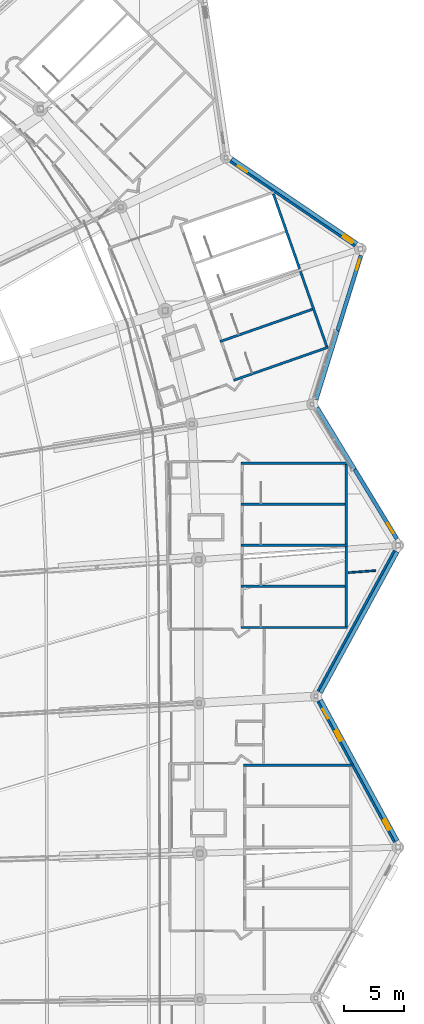
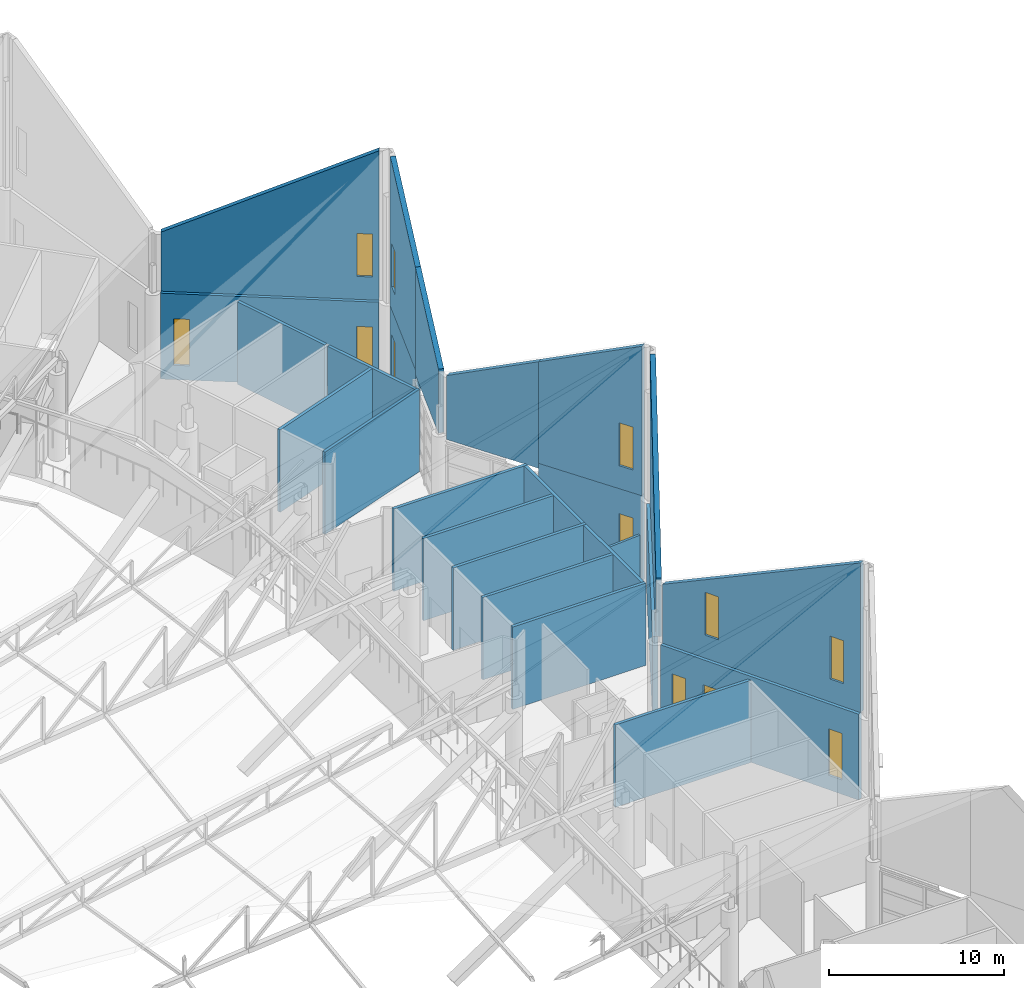
# One storey, part 272 of 344: 25 walls, 12 windows, 12 openings.
"""IFC4 building model written with IfcOpenShell, lengths in metres."""

from ifc_helpers import new_model, si_unit, direction, frame, frame_2d, origin, place, context, subcontext, project, spatial, polyline, rectangle, outline, extrude, material, layer, layer_set, type_object, element, fill, save


model = new_model("IFC4")

# Units and contexts
model_context = context("Model", 3, precision=1e-05, world=origin(), true_north=direction((0.0, 1.0)))
body_context = subcontext(model_context, "Body", "Model", "MODEL_VIEW")
ifc_project = project(units=[si_unit("LENGTHUNIT", "METRE"), si_unit("AREAUNIT", "SQUARE_METRE"), si_unit("VOLUMEUNIT", "CUBIC_METRE"), si_unit("PLANEANGLEUNIT", "RADIAN"), si_unit("MASSUNIT", "GRAM", prefix="KILO")], contexts=[model_context])

# Site, building, storey
site_placement = place(None, origin())
site = spatial("IfcSite", under=ifc_project, at=site_placement, CompositionType="ELEMENT")
building_placement = place(site_placement, origin())
building = spatial("IfcBuilding", under=site, at=building_placement, Name="Meseta Stadium", CompositionType="ELEMENT")
storey_placement = place(building_placement, frame((0.0, 0.0, 24.0)))
storey = spatial("IfcBuildingStorey", under=building, at=storey_placement, Name="L04", CompositionType="ELEMENT", Elevation=24.0)

# Walls
ifc_material_1 = material(Name="Concrete C40/50", Category="concrete")
ifc_layer_1 = layer(ifc_material_1, 0.199951171875)
ifc_layer_set_1 = layer_set([ifc_layer_1], Name="Core divider wall 200")
wall_type_1 = type_object("IfcWallType", Name="Core divider wall 200", PredefinedType="SHEAR", material=ifc_layer_set_1)
for number, where, z_axis, x_axis, name in (
    (1, (97.199951171875, 40.35009765625, 0.0), (0.0, 0.0, 1.0), (-1.0, 0.0, 0.0), "Core 05 L04 stair A divider wall"),
    (2, (97.199951171875, 47.14990234375, 0.0), (0.0, 0.0, 1.0), (-1.0, 0.0, 0.0), "Core 05 L04 stair B divider wall"),
):
    element("IfcWall", number, at=place(storey_placement, frame(where, z_axis=z_axis, x_axis=x_axis)), inside=storey, type_object=wall_type_1, Name=name, PredefinedType="SHEAR", context=body_context, shape_type="SweptSolid", body=[
        extrude(rectangle(XDim=8.800048828125, YDim=0.199951171875, at=frame_2d((4.39990234375, 0.0))), origin(), (0.0, 0.0, 1.0), 5.75),
    ])
wall_1_placement = place(storey_placement, frame((94.505859375, 63.370849609375, 0.0), z_axis=(0.0, 0.0, 1.0), x_axis=(-0.943878073457, -0.330294084791, 0.0)))
element("IfcWall", 3, at=wall_1_placement, inside=storey, type_object=wall_type_1, Name="Core 06 L04 stair A divider wall", PredefinedType="SHEAR", context=body_context, shape_type="SweptSolid", body=[
    extrude(rectangle(XDim=8.300048828125, YDim=0.199951171875, at=frame_2d((4.14990234375, 0.0))), origin(), (0.0, 0.0, 1.0), 5.75),
])
ifc_material_2 = material(Name="Concrete C40/50", Category="concrete")
ifc_layer_2 = layer(ifc_material_2, 0.199951171875)
ifc_layer_set_2 = layer_set([ifc_layer_2], Name="Core shaft wall 200")
wall_type_2 = type_object("IfcWallType", Name="Core shaft wall 200", PredefinedType="SHEAR", material=ifc_layer_set_2)
wall_2_placement = place(storey_placement, frame((97.60009765625, 25.550048828125, 0.0), z_axis=(0.0, 0.0, 1.0), x_axis=(-1.0, 0.0, 0.0)))
element("IfcWall", 4, at=wall_2_placement, inside=storey, type_object=wall_type_2, Name="Core 04 L04 stair wall B-side", PredefinedType="SHEAR", context=body_context, shape_type="SweptSolid", body=[
    extrude(rectangle(XDim=9.0, YDim=0.199951171875, at=frame_2d((4.5, 0.0))), origin(), (0.0, 0.0, 1.0), 5.75),
])
for number, where, z_axis, x_axis, name in (
    (5, (97.199951171875, 36.949951171875, 0.0), (0.0, 0.0, 1.0), (-1.0, 0.0, 0.0), "Core 05 L04 stair wall A-side"),
    (6, (97.199951171875, 43.75, 0.0), (0.0, 0.0, 1.0), (-1.0, 0.0, 0.0), "Core 05 L04 stair wall shared"),
    (7, (97.199951171875, 50.550048828125, 0.0), (0.0, 0.0, 1.0), (-1.0, 0.0, 0.0), "Core 05 L04 stair wall B-side"),
):
    element("IfcWall", number, at=place(storey_placement, frame(where, z_axis=z_axis, x_axis=x_axis)), inside=storey, type_object=wall_type_2, Name=name, PredefinedType="SHEAR", context=body_context, shape_type="SweptSolid", body=[
        extrude(rectangle(XDim=8.800048828125, YDim=0.199951171875, at=frame_2d((4.39990234375, 0.0))), origin(), (0.0, 0.0, 1.0), 5.75),
    ])
for number, where, z_axis, x_axis, name in (
    (8, (97.10009765625, 37.050048828125, 0.0), (0.0, 0.0, 1.0), (0.0, 1.0, 0.0), "Core 05 L04 stair A outer end wall"),
    (9, (97.10009765625, 43.85009765625, 0.0), (0.0, 0.0, 1.0), (0.0, 1.0, 0.0), "Core 05 L04 stair B outer end wall"),
):
    element("IfcWall", number, at=place(storey_placement, frame(where, z_axis=z_axis, x_axis=x_axis)), inside=storey, type_object=wall_type_2, Name=name, PredefinedType="SHEAR", context=body_context, shape_type="SweptSolid", body=[
        extrude(rectangle(XDim=6.599853515625, YDim=0.199951171875, at=frame_2d((3.2998046875, 0.0))), origin(), (0.0, 0.0, 1.0), 5.75),
    ])
wall_3_placement = place(storey_placement, frame((95.62890625, 60.16162109375, 0.0), z_axis=(0.0, 0.0, 1.0), x_axis=(-0.943887243331, -0.330267878966, 0.0)))
element("IfcWall", 10, at=wall_3_placement, inside=storey, type_object=wall_type_2, Name="Core 06 L04 stair wall A-side", PredefinedType="SHEAR", context=body_context, shape_type="SweptSolid", body=[
    extrude(rectangle(XDim=8.300048828125, YDim=0.199951171875, at=frame_2d((4.14990234375, 0.0))), origin(), (0.0, 0.0, 1.0), 5.75),
])
for number, where, z_axis, x_axis, name in (
    (11, (95.50146484375, 60.222900390625, 0.0), (0.0, 0.0, 1.0), (-0.330286164688, 0.943880844925, 0.0), "Core 06 L04 stair A outer end wall"),
    (12, (93.255615234375, 66.641357421875, 0.0), (0.0, 0.0, 1.0), (-0.330286164688, 0.943880844925, 0.0), "Core 06 L04 stair B outer end wall"),
):
    element("IfcWall", number, at=place(storey_placement, frame(where, z_axis=z_axis, x_axis=x_axis)), inside=storey, type_object=wall_type_2, Name=name, PredefinedType="SHEAR", context=body_context, shape_type="SweptSolid", body=[
        extrude(rectangle(XDim=6.60009765625, YDim=0.199951171875, at=frame_2d((3.300048828125, 0.0))), origin(), (0.0, 0.0, 1.0), 5.75),
    ])
ifc_material_3 = material(Name="Masonry blockwork", Category="masonry")
ifc_layer_3 = layer(ifc_material_3, 0.14990234375)
ifc_layer_set_3 = layer_set([ifc_layer_3], Name="Partition 150")
wall_type_3 = type_object("IfcWallType", Name="Partition 150", PredefinedType="PARTITIONING", material=ifc_layer_set_3)
wall_4_placement = place(storey_placement, frame((97.300048828125, 41.48974609375, 0.0), z_axis=(0.0, 0.0, 1.0), x_axis=(0.99706720675, 0.076530942913, 0.0)))
element("IfcWall", 13, at=wall_4_placement, inside=storey, type_object=wall_type_3, Name="Partition L04 L04-cell03-1-0", PredefinedType="PARTITIONING", context=body_context, shape_type="SweptSolid", body=[
    extrude(rectangle(XDim=2.25537109375, YDim=0.14990234375, at=frame_2d((1.127685546875, 0.0))), origin(), (0.0, 0.0, 1.0), 5.39990234375),
])

# Wall, openings, windows
ifc_material_4 = material(Name="White precast concrete C40/50", Category="concrete")
ifc_layer_4 = layer(ifc_material_4, 0.320068359375)
ifc_layer_set_4 = layer_set([ifc_layer_4], Name="Pleated fascia panel 320 raked")
wall_type_4 = type_object("IfcWallType", Name="Pleated fascia panel 320 raked", PredefinedType="SOLIDWALL", material=ifc_layer_set_4)
wall_5_placement = place(storey_placement, frame((94.99072265625, 30.950439453125, 6.0), z_axis=(0.0, 0.0, 1.0), x_axis=(0.477867771117, -0.878431780691, 0.0)))
wall_5 = element("IfcWall", 14, at=wall_5_placement, inside=storey, type_object=wall_type_4, Name="Pleated fascia panel L04 F06", PredefinedType="SOLIDWALL", context=body_context, shape_type="SweptSolid", body=[
    extrude(outline(polyline([(0.0, 0.0), (13.2802734375, 0.0), (13.2802734375, 10.451171875), (0.0, 4.10498046875), (0.0, 0.0)])), frame((0.0, 0.16015625, 0.0), z_axis=(0.0, -1.0, 0.0), x_axis=(1.0, 0.0, 0.0)), (0.0, 0.0, 1.0), 0.320068359375),
])
opening_1_placement = place(wall_5_placement, frame((2.85009765625, 0.0, 1.60009765625)))
opening_1 = element("IfcOpeningElement", 15, at=opening_1_placement, cuts=wall_5, Name="Opening W310", PredefinedType="OPENING", context=body_context, shape_type="SweptSolid", body=[
    extrude(rectangle(XDim=0.89990234375, YDim=3.0, at=frame_2d((0.449951171875, 1.5))), frame((0.0, 0.169921875, 0.0), z_axis=(0.0, -1.0, 0.0), x_axis=(1.0, 0.0, 0.0)), (0.0, 0.0, 1.0), 0.340087890625),
])
opening_2_placement = place(wall_5_placement, frame((11.250244140625, 0.0, 1.60009765625)))
opening_2 = element("IfcOpeningElement", 16, at=opening_2_placement, cuts=wall_5, Name="Opening W328", PredefinedType="OPENING", context=body_context, shape_type="SweptSolid", body=[
    extrude(rectangle(XDim=0.89990234375, YDim=3.0, at=frame_2d((0.449951171875, 1.5))), frame((0.0, 0.169921875, 0.0), z_axis=(0.0, -1.0, 0.0), x_axis=(1.0, 0.0, 0.0)), (0.0, 0.0, 1.0), 0.340087890625),
])
ifc_material_5 = material(Name="Aluminium", Category="aluminium")
window_type_1 = type_object("IfcWindowType", Name="Slot window 900x3000", PartitioningType="SINGLE_PANEL", PredefinedType="WINDOW", material=ifc_material_5)
window_1_placement = place(opening_1_placement, origin())
window_1 = element("IfcWindow", 17, at=window_1_placement, inside=storey, type_object=window_type_1, Name="Slot window L04 F06.2", OverallHeight=3.0, OverallWidth=0.89990234375, PartitioningType="SINGLE_PANEL", PredefinedType="WINDOW", context=body_context, shape_type="SweptSolid", body=[
    extrude(rectangle(XDim=0.89990234375, YDim=3.0, at=frame_2d((0.449951171875, 1.5))), frame((0.0, 0.030029296875, 0.0), z_axis=(0.0, -1.0, 0.0), x_axis=(1.0, 0.0, 0.0)), (0.0, 0.0, 1.0), 0.06005859375),
])
fill(opening_1, window_1)
window_2_placement = place(opening_2_placement, origin())
window_2 = element("IfcWindow", 18, at=window_2_placement, inside=storey, type_object=window_type_1, Name="Slot window L04 F06.6", OverallHeight=3.0, OverallWidth=0.89990234375, PartitioningType="SINGLE_PANEL", PredefinedType="WINDOW", context=body_context, shape_type="SweptSolid", body=[
    extrude(rectangle(XDim=0.89990234375, YDim=3.0, at=frame_2d((0.449951171875, 1.5))), frame((0.0, 0.030029296875, 0.0), z_axis=(0.0, -1.0, 0.0), x_axis=(1.0, 0.0, 0.0)), (0.0, 0.0, 1.0), 0.06005859375),
])
fill(opening_2, window_2)

# Wall
wall_6_placement = place(storey_placement, frame((101.3369140625, 43.21533203125, 6.0), z_axis=(0.0, 0.0, 1.0), x_axis=(-0.477867771117, -0.878431780691, 0.0)))
element("IfcWall", 19, at=wall_6_placement, inside=storey, type_object=wall_type_4, Name="Pleated fascia panel L04 F07", PredefinedType="SOLIDWALL", context=body_context, shape_type="SweptSolid", body=[
    extrude(outline(polyline([(0.0, 0.0), (13.2802734375, 0.0), (13.2802734375, 4.10498046875), (0.0, 10.451171875), (0.0, 0.0)])), frame((0.0, 0.16015625, 0.0), z_axis=(0.0, -1.0, 0.0), x_axis=(1.0, 0.0, 0.0)), (0.0, 0.0, 1.0), 0.320068359375),
])

# Wall, opening, window
wall_7_placement = place(storey_placement, frame((97.81494140625, 50.033935546875, 6.0), z_axis=(0.0, 0.0, 1.0), x_axis=(0.519367009964, -0.854551291007, 0.0)))
wall_7 = element("IfcWall", 20, at=wall_7_placement, inside=storey, type_object=wall_type_4, Name="Pleated fascia panel L04 F08", PredefinedType="SOLIDWALL", context=body_context, shape_type="SweptSolid", body=[
    extrude(outline(polyline([(0.0, 0.0), (6.732421875, 0.0), (6.732421875, 10.44189453125), (0.0, 7.095458984375), (0.0, 0.0)])), frame((0.0, 0.16015625, 0.0), z_axis=(0.0, -1.0, 0.0), x_axis=(1.0, 0.0, 0.0)), (0.0, 0.0, 1.0), 0.320068359375),
])
opening_3_placement = place(wall_7_placement, frame((5.25048828125, 0.0, 1.60009765625)))
opening_3 = element("IfcOpeningElement", 21, at=opening_3_placement, cuts=wall_7, Name="Opening W330", PredefinedType="OPENING", context=body_context, shape_type="SweptSolid", body=[
    extrude(rectangle(XDim=0.89990234375, YDim=3.0, at=frame_2d((0.449951171875, 1.5))), frame((0.0, 0.169921875, 0.0), z_axis=(0.0, -1.0, 0.0), x_axis=(1.0, 0.0, 0.0)), (0.0, 0.0, 1.0), 0.340087890625),
])
window_3_placement = place(opening_3_placement, origin())
window_3 = element("IfcWindow", 22, at=window_3_placement, inside=storey, type_object=window_type_1, Name="Slot window L04 F08.6", OverallHeight=3.0, OverallWidth=0.89990234375, PartitioningType="SINGLE_PANEL", PredefinedType="WINDOW", context=body_context, shape_type="SweptSolid", body=[
    extrude(rectangle(XDim=0.89990234375, YDim=3.0, at=frame_2d((0.449951171875, 1.5))), frame((0.0, 0.030029296875, 0.0), z_axis=(0.0, -1.0, 0.0), x_axis=(1.0, 0.0, 0.0)), (0.0, 0.0, 1.0), 0.06005859375),
])
fill(opening_3, window_3)

# Wall
wall_8_placement = place(storey_placement, frame((94.69873046875, 55.1611328125, 5.64990234375), z_axis=(0.0, 0.0, 1.0), x_axis=(0.519376262918, -0.85454566731, 0.0)))
element("IfcWall", 23, at=wall_8_placement, inside=storey, type_object=wall_type_4, Name="Pleated facade panel above atrium F08", PredefinedType="SOLIDWALL", context=body_context, shape_type="SweptSolid", body=[
    extrude(outline(polyline([(0.0, 0.0), (6.0, 0.0), (6.0, 7.445556640625), (0.0, 4.46337890625), (0.0, 0.0)])), frame((0.0, 0.16015625, 0.0), z_axis=(0.0, -1.0, 0.0), x_axis=(1.0, 0.0, 0.0)), (0.0, 0.0, 1.0), 0.320068359375),
])

# Wall, opening, window
wall_9_placement = place(storey_placement, frame((98.333740234375, 67.7607421875, 6.0), z_axis=(0.0, 0.0, 1.0), x_axis=(-0.296876677413, -0.954915827918, 0.0)))
wall_9 = element("IfcWall", 24, at=wall_9_placement, inside=storey, type_object=wall_type_4, Name="Pleated fascia panel L04 F09", PredefinedType="SOLIDWALL", context=body_context, shape_type="SweptSolid", body=[
    extrude(outline(polyline([(0.0, 0.0), (6.51318359375, 0.0), (6.51318359375, 7.147705078125), (0.0, 10.4375), (0.0, 0.0)])), frame((0.0, 0.16015625, 0.0), z_axis=(0.0, -1.0, 0.0), x_axis=(1.0, 0.0, 0.0)), (0.0, 0.0, 1.0), 0.320068359375),
])
opening_4_placement = place(wall_9_placement, frame((0.363037109375, 0.0, 1.60009765625)))
opening_4 = element("IfcOpeningElement", 25, at=opening_4_placement, cuts=wall_9, Name="Opening W314", PredefinedType="OPENING", context=body_context, shape_type="SweptSolid", body=[
    extrude(rectangle(XDim=0.89990234375, YDim=3.0, at=frame_2d((0.449951171875, 1.5))), frame((0.0, 0.169921875, 0.0), z_axis=(0.0, -1.0, 0.0), x_axis=(1.0, 0.0, 0.0)), (0.0, 0.0, 1.0), 0.340087890625),
])
window_4_placement = place(opening_4_placement, origin())
window_4 = element("IfcWindow", 26, at=window_4_placement, inside=storey, type_object=window_type_1, Name="Slot window L04 F09.6", OverallHeight=3.0, OverallWidth=0.89990234375, PartitioningType="SINGLE_PANEL", PredefinedType="WINDOW", context=body_context, shape_type="SweptSolid", body=[
    extrude(rectangle(XDim=0.89990234375, YDim=3.0, at=frame_2d((0.449951171875, 1.5))), frame((0.0, 0.030029296875, 0.0), z_axis=(0.0, -1.0, 0.0), x_axis=(1.0, 0.0, 0.0)), (0.0, 0.0, 1.0), 0.06005859375),
])
fill(opening_4, window_4)

# Wall
wall_10_placement = place(storey_placement, frame((96.400146484375, 61.541259765625, 5.64990234375), z_axis=(0.0, 0.0, 1.0), x_axis=(-0.29687527919, -0.954916262615, 0.0)))
element("IfcWall", 27, at=wall_10_placement, inside=storey, type_object=wall_type_4, Name="Pleated facade panel above atrium F09", PredefinedType="SOLIDWALL", context=body_context, shape_type="SweptSolid", body=[
    extrude(outline(polyline([(0.0, 0.0), (6.0, 0.0), (6.0, 4.46728515625), (0.0, 7.497802734375), (0.0, 0.0)])), frame((0.0, 0.16015625, 0.0), z_axis=(0.0, -1.0, 0.0), x_axis=(1.0, 0.0, 0.0)), (0.0, 0.0, 1.0), 0.320068359375),
])

# Wall, opening, window
wall_11_placement = place(storey_placement, frame((87.63525390625, 75.769775390625, 6.0), z_axis=(0.0, 0.0, 1.0), x_axis=(0.827480954447, -0.561493784496, 0.0)))
wall_11 = element("IfcWall", 28, at=wall_11_placement, inside=storey, type_object=wall_type_4, Name="Pleated fascia panel L04 F10", PredefinedType="SOLIDWALL", context=body_context, shape_type="SweptSolid", body=[
    extrude(outline(polyline([(0.0, 0.0), (12.51318359375, 0.0), (12.51318359375, 10.4375), (0.0, 4.1171875), (0.0, 0.0)])), frame((0.0, 0.16015625, 0.0), z_axis=(0.0, -1.0, 0.0), x_axis=(1.0, 0.0, 0.0)), (0.0, 0.0, 1.0), 0.320068359375),
])
opening_5_placement = place(wall_11_placement, frame((11.250244140625, 0.0, 1.60009765625)))
opening_5 = element("IfcOpeningElement", 29, at=opening_5_placement, cuts=wall_11, Name="Opening W312", PredefinedType="OPENING", context=body_context, shape_type="SweptSolid", body=[
    extrude(rectangle(XDim=0.89990234375, YDim=3.0, at=frame_2d((0.449951171875, 1.5))), frame((0.0, 0.169921875, 0.0), z_axis=(0.0, -1.0, 0.0), x_axis=(1.0, 0.0, 0.0)), (0.0, 0.0, 1.0), 0.340087890625),
])
window_5_placement = place(opening_5_placement, origin())
window_5 = element("IfcWindow", 30, at=window_5_placement, inside=storey, type_object=window_type_1, Name="Slot window L04 F10.6", OverallHeight=3.0, OverallWidth=0.89990234375, PartitioningType="SINGLE_PANEL", PredefinedType="WINDOW", context=body_context, shape_type="SweptSolid", body=[
    extrude(rectangle(XDim=0.89990234375, YDim=3.0, at=frame_2d((0.449951171875, 1.5))), frame((0.0, 0.030029296875, 0.0), z_axis=(0.0, -1.0, 0.0), x_axis=(1.0, 0.0, 0.0)), (0.0, 0.0, 1.0), 0.06005859375),
])
fill(opening_5, window_5)

# Wall, openings, windows
ifc_material_6 = material(Name="White precast concrete C40/50", Category="concrete")
ifc_layer_5 = layer(ifc_material_6, 0.320068359375)
ifc_layer_set_5 = layer_set([ifc_layer_5], Name="Pleated panel wall 320")
wall_type_5 = type_object("IfcWallType", Name="Pleated panel wall 320", PredefinedType="SOLIDWALL", material=ifc_layer_set_5)
wall_12_placement = place(storey_placement, frame((94.81494140625, 30.854736328125, 0.0), z_axis=(0.0, 0.0, 1.0), x_axis=(0.477867771117, -0.878431780691, 0.0)))
wall_12 = element("IfcWall", 31, at=wall_12_placement, inside=storey, type_object=wall_type_5, Name="Pleated facade panel L04 F06", PredefinedType="SOLIDWALL", context=body_context, shape_type="SweptSolid", body=[
    extrude(rectangle(XDim=13.2802734375, YDim=0.320068359375, at=frame_2d((6.64013671875, 0.0))), origin(), (0.0, 0.0, 1.0), 6.0),
])
opening_6_placement = place(wall_12_placement, frame((0.750244140625, 0.0, 1.0)))
opening_6 = element("IfcOpeningElement", 32, at=opening_6_placement, cuts=wall_12, Name="Opening W304", PredefinedType="OPENING", context=body_context, shape_type="SweptSolid", body=[
    extrude(rectangle(XDim=0.89990234375, YDim=3.25, at=frame_2d((0.449951171875, 1.625))), frame((0.0, 0.169921875, 0.0), z_axis=(0.0, -1.0, 0.0), x_axis=(1.0, 0.0, 0.0)), (0.0, 0.0, 1.0), 0.340087890625),
])
opening_7_placement = place(wall_12_placement, frame((2.85009765625, 0.0, 1.0)))
opening_7 = element("IfcOpeningElement", 33, at=opening_7_placement, cuts=wall_12, Name="Opening W307", PredefinedType="OPENING", context=body_context, shape_type="SweptSolid", body=[
    extrude(rectangle(XDim=0.89990234375, YDim=3.25, at=frame_2d((0.449951171875, 1.625))), frame((0.0, 0.169921875, 0.0), z_axis=(0.0, -1.0, 0.0), x_axis=(1.0, 0.0, 0.0)), (0.0, 0.0, 1.0), 0.340087890625),
])
opening_8_placement = place(wall_12_placement, frame((11.250244140625, 0.0, 1.0)))
opening_8 = element("IfcOpeningElement", 34, at=opening_8_placement, cuts=wall_12, Name="Opening W319", PredefinedType="OPENING", context=body_context, shape_type="SweptSolid", body=[
    extrude(rectangle(XDim=0.89990234375, YDim=3.25, at=frame_2d((0.449951171875, 1.625))), frame((0.0, 0.169921875, 0.0), z_axis=(0.0, -1.0, 0.0), x_axis=(1.0, 0.0, 0.0)), (0.0, 0.0, 1.0), 0.340087890625),
])
ifc_material_7 = material(Name="Aluminium", Category="aluminium")
window_type_2 = type_object("IfcWindowType", Name="Slot window 900x3250", PartitioningType="SINGLE_PANEL", PredefinedType="WINDOW", material=ifc_material_7)
window_6_placement = place(opening_6_placement, origin())
window_6 = element("IfcWindow", 35, at=window_6_placement, inside=storey, type_object=window_type_2, Name="Slot window L04 F06.1", OverallHeight=3.25, OverallWidth=0.89990234375, PartitioningType="SINGLE_PANEL", PredefinedType="WINDOW", context=body_context, shape_type="SweptSolid", body=[
    extrude(rectangle(XDim=0.89990234375, YDim=3.25, at=frame_2d((0.449951171875, 1.625))), frame((0.0, 0.030029296875, 0.0), z_axis=(0.0, -1.0, 0.0), x_axis=(1.0, 0.0, 0.0)), (0.0, 0.0, 1.0), 0.06005859375),
])
fill(opening_6, window_6)
window_7_placement = place(opening_7_placement, origin())
window_7 = element("IfcWindow", 36, at=window_7_placement, inside=storey, type_object=window_type_2, Name="Slot window L04 F06.2", OverallHeight=3.25, OverallWidth=0.89990234375, PartitioningType="SINGLE_PANEL", PredefinedType="WINDOW", context=body_context, shape_type="SweptSolid", body=[
    extrude(rectangle(XDim=0.89990234375, YDim=3.25, at=frame_2d((0.449951171875, 1.625))), frame((0.0, 0.030029296875, 0.0), z_axis=(0.0, -1.0, 0.0), x_axis=(1.0, 0.0, 0.0)), (0.0, 0.0, 1.0), 0.06005859375),
])
fill(opening_7, window_7)
window_8_placement = place(opening_8_placement, origin())
window_8 = element("IfcWindow", 37, at=window_8_placement, inside=storey, type_object=window_type_2, Name="Slot window L04 F06.6", OverallHeight=3.25, OverallWidth=0.89990234375, PartitioningType="SINGLE_PANEL", PredefinedType="WINDOW", context=body_context, shape_type="SweptSolid", body=[
    extrude(rectangle(XDim=0.89990234375, YDim=3.25, at=frame_2d((0.449951171875, 1.625))), frame((0.0, 0.030029296875, 0.0), z_axis=(0.0, -1.0, 0.0), x_axis=(1.0, 0.0, 0.0)), (0.0, 0.0, 1.0), 0.06005859375),
])
fill(opening_8, window_8)

# Wall
wall_13_placement = place(storey_placement, frame((101.1611328125, 43.31103515625, 0.0), z_axis=(0.0, 0.0, 1.0), x_axis=(-0.477867771117, -0.878431780691, 0.0)))
element("IfcWall", 38, at=wall_13_placement, inside=storey, type_object=wall_type_5, Name="Pleated facade panel L04 F07", PredefinedType="SOLIDWALL", context=body_context, shape_type="SweptSolid", body=[
    extrude(rectangle(XDim=13.2802734375, YDim=0.320068359375, at=frame_2d((6.64013671875, 0.0))), origin(), (0.0, 0.0, 1.0), 6.0),
])

# Wall, opening, window
wall_14_placement = place(storey_placement, frame((97.81494140625, 50.033935546875, 0.0), z_axis=(0.0, 0.0, 1.0), x_axis=(0.519367009964, -0.854551291007, 0.0)))
wall_14 = element("IfcWall", 39, at=wall_14_placement, inside=storey, type_object=wall_type_5, Name="Pleated facade panel L04 F08", PredefinedType="SOLIDWALL", context=body_context, shape_type="SweptSolid", body=[
    extrude(rectangle(XDim=6.732421875, YDim=0.320068359375, at=frame_2d((3.3662109375, 0.0))), origin(), (0.0, 0.0, 1.0), 6.0),
])
opening_9_placement = place(wall_14_placement, frame((5.25048828125, 0.0, 1.0)))
opening_9 = element("IfcOpeningElement", 40, at=opening_9_placement, cuts=wall_14, Name="Opening W329", PredefinedType="OPENING", context=body_context, shape_type="SweptSolid", body=[
    extrude(rectangle(XDim=0.89990234375, YDim=3.25, at=frame_2d((0.449951171875, 1.625))), frame((0.0, 0.169921875, 0.0), z_axis=(0.0, -1.0, 0.0), x_axis=(1.0, 0.0, 0.0)), (0.0, 0.0, 1.0), 0.340087890625),
])
window_9_placement = place(opening_9_placement, origin())
window_9 = element("IfcWindow", 41, at=window_9_placement, inside=storey, type_object=window_type_2, Name="Slot window L04 F08.6", OverallHeight=3.25, OverallWidth=0.89990234375, PartitioningType="SINGLE_PANEL", PredefinedType="WINDOW", context=body_context, shape_type="SweptSolid", body=[
    extrude(rectangle(XDim=0.89990234375, YDim=3.25, at=frame_2d((0.449951171875, 1.625))), frame((0.0, 0.030029296875, 0.0), z_axis=(0.0, -1.0, 0.0), x_axis=(1.0, 0.0, 0.0)), (0.0, 0.0, 1.0), 0.06005859375),
])
fill(opening_9, window_9)

wall_15_placement = place(storey_placement, frame((98.333740234375, 67.7607421875, 0.0), z_axis=(0.0, 0.0, 1.0), x_axis=(-0.296876677413, -0.954915827918, 0.0)))
wall_15 = element("IfcWall", 42, at=wall_15_placement, inside=storey, type_object=wall_type_5, Name="Pleated facade panel L04 F09", PredefinedType="SOLIDWALL", context=body_context, shape_type="SweptSolid", body=[
    extrude(rectangle(XDim=6.51318359375, YDim=0.320068359375, at=frame_2d((3.256591796875, 0.0))), origin(), (0.0, 0.0, 1.0), 6.0),
])
opening_10_placement = place(wall_15_placement, frame((0.363037109375, 0.0, 1.0)))
opening_10 = element("IfcOpeningElement", 43, at=opening_10_placement, cuts=wall_15, Name="Opening W313", PredefinedType="OPENING", context=body_context, shape_type="SweptSolid", body=[
    extrude(rectangle(XDim=0.89990234375, YDim=3.25, at=frame_2d((0.449951171875, 1.625))), frame((0.0, 0.169921875, 0.0), z_axis=(0.0, -1.0, 0.0), x_axis=(1.0, 0.0, 0.0)), (0.0, 0.0, 1.0), 0.340087890625),
])
window_10_placement = place(opening_10_placement, origin())
window_10 = element("IfcWindow", 44, at=window_10_placement, inside=storey, type_object=window_type_2, Name="Slot window L04 F09.6", OverallHeight=3.25, OverallWidth=0.89990234375, PartitioningType="SINGLE_PANEL", PredefinedType="WINDOW", context=body_context, shape_type="SweptSolid", body=[
    extrude(rectangle(XDim=0.89990234375, YDim=3.25, at=frame_2d((0.449951171875, 1.625))), frame((0.0, 0.030029296875, 0.0), z_axis=(0.0, -1.0, 0.0), x_axis=(1.0, 0.0, 0.0)), (0.0, 0.0, 1.0), 0.06005859375),
])
fill(opening_10, window_10)

# Wall, openings, windows
wall_16_placement = place(storey_placement, frame((87.52294921875, 75.604248046875, 0.0), z_axis=(0.0, 0.0, 1.0), x_axis=(0.827480954447, -0.561493784496, 0.0)))
wall_16 = element("IfcWall", 45, at=wall_16_placement, inside=storey, type_object=wall_type_5, Name="Pleated facade panel L04 F10", PredefinedType="SOLIDWALL", context=body_context, shape_type="SweptSolid", body=[
    extrude(rectangle(XDim=12.51318359375, YDim=0.320068359375, at=frame_2d((6.256591796875, 0.0))), origin(), (0.0, 0.0, 1.0), 6.0),
])
opening_11_placement = place(wall_16_placement, frame((0.750244140625, 0.0, 1.0)))
opening_11 = element("IfcOpeningElement", 46, at=opening_11_placement, cuts=wall_16, Name="Opening W296", PredefinedType="OPENING", context=body_context, shape_type="SweptSolid", body=[
    extrude(rectangle(XDim=0.89990234375, YDim=3.25, at=frame_2d((0.449951171875, 1.625))), frame((0.0, 0.169921875, 0.0), z_axis=(0.0, -1.0, 0.0), x_axis=(1.0, 0.0, 0.0)), (0.0, 0.0, 1.0), 0.340087890625),
])
opening_12_placement = place(wall_16_placement, frame((11.250244140625, 0.0, 1.0)))
opening_12 = element("IfcOpeningElement", 47, at=opening_12_placement, cuts=wall_16, Name="Opening W311", PredefinedType="OPENING", context=body_context, shape_type="SweptSolid", body=[
    extrude(rectangle(XDim=0.89990234375, YDim=3.25, at=frame_2d((0.449951171875, 1.625))), frame((0.0, 0.169921875, 0.0), z_axis=(0.0, -1.0, 0.0), x_axis=(1.0, 0.0, 0.0)), (0.0, 0.0, 1.0), 0.340087890625),
])
window_11_placement = place(opening_11_placement, origin())
window_11 = element("IfcWindow", 48, at=window_11_placement, inside=storey, type_object=window_type_2, Name="Slot window L04 F10.1", OverallHeight=3.25, OverallWidth=0.89990234375, PartitioningType="SINGLE_PANEL", PredefinedType="WINDOW", context=body_context, shape_type="SweptSolid", body=[
    extrude(rectangle(XDim=0.89990234375, YDim=3.25, at=frame_2d((0.449951171875, 1.625))), frame((0.0, 0.030029296875, 0.0), z_axis=(0.0, -1.0, 0.0), x_axis=(1.0, 0.0, 0.0)), (0.0, 0.0, 1.0), 0.06005859375),
])
fill(opening_11, window_11)
window_12_placement = place(opening_12_placement, origin())
window_12 = element("IfcWindow", 49, at=window_12_placement, inside=storey, type_object=window_type_2, Name="Slot window L04 F10.6", OverallHeight=3.25, OverallWidth=0.89990234375, PartitioningType="SINGLE_PANEL", PredefinedType="WINDOW", context=body_context, shape_type="SweptSolid", body=[
    extrude(rectangle(XDim=0.89990234375, YDim=3.25, at=frame_2d((0.449951171875, 1.625))), frame((0.0, 0.030029296875, 0.0), z_axis=(0.0, -1.0, 0.0), x_axis=(1.0, 0.0, 0.0)), (0.0, 0.0, 1.0), 0.06005859375),
])
fill(opening_12, window_12)

save(model, "model.ifc")
